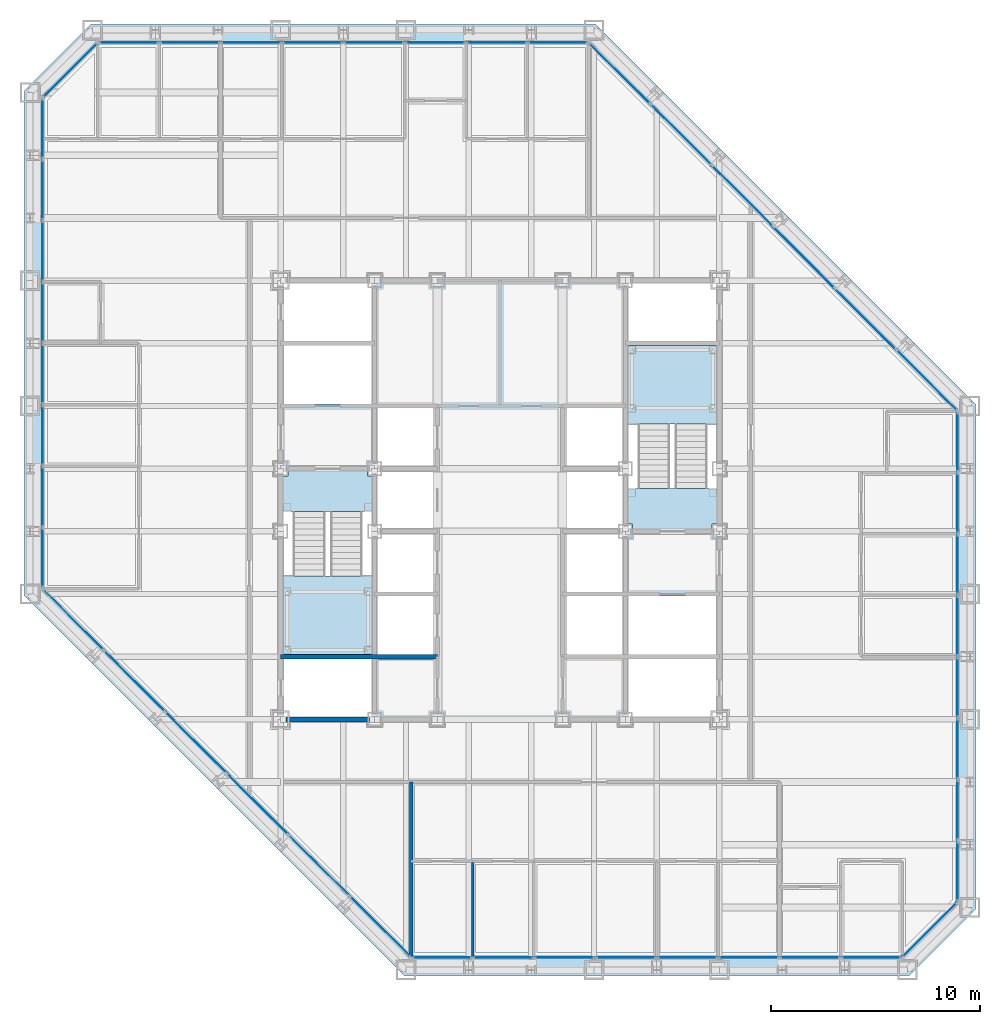
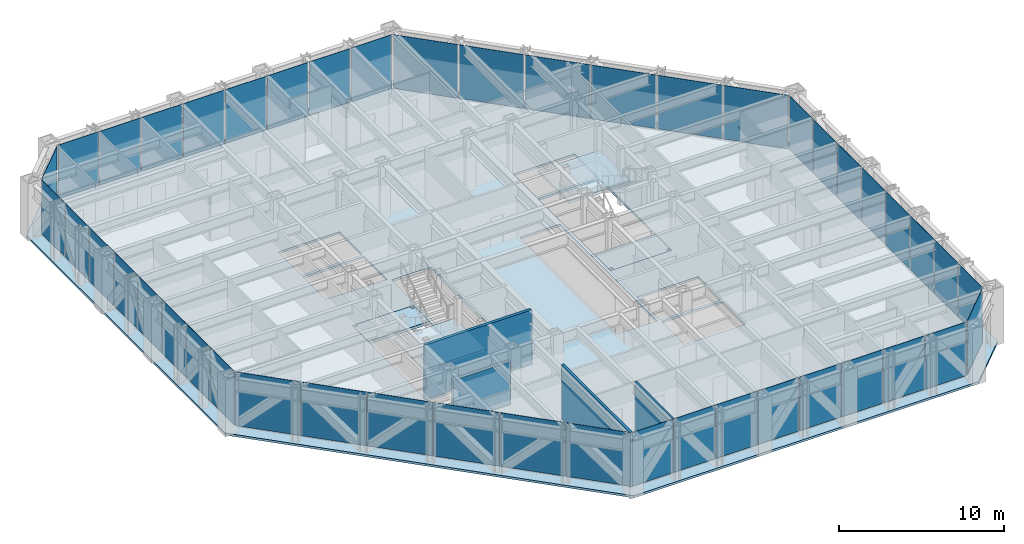
# One storey, part 9 of 16: 46 plates, 5 slabs, 4 walls, 10 elements without a shape of their own.
"""IFC4 building model written with IfcOpenShell, lengths in metres."""

from ifc_helpers import new_model, si_unit, direction, frame, frame_2d, origin, origin_2d, place, context, subcontext, project, spatial, polyline, rectangle, outline, extrude, material, layer, layer_set, type_object, element, aggregate, save


model = new_model("IFC4")

# Units and contexts
model_context = context("Model", 3, precision=1e-05, world=origin(), true_north=direction((0.0, 1.0)))
body_context = subcontext(model_context, "Body", "Model", "MODEL_VIEW")
ifc_project = project(units=[si_unit("LENGTHUNIT", "METRE"), si_unit("AREAUNIT", "SQUARE_METRE"), si_unit("VOLUMEUNIT", "CUBIC_METRE"), si_unit("PLANEANGLEUNIT", "RADIAN"), si_unit("MASSUNIT", "GRAM", prefix="KILO")], contexts=[model_context])

# Site, building, storey
site_placement = place(None, origin())
site = spatial("IfcSite", under=ifc_project, at=site_placement, CompositionType="ELEMENT")
building_placement = place(site_placement, origin())
building = spatial("IfcBuilding", under=site, at=building_placement, Name="Chuquiago Exchange Tower", CompositionType="ELEMENT")
storey_placement = place(building_placement, frame((0.0, 0.0, 115.199951171875)))
storey = spatial("IfcBuildingStorey", under=building, at=storey_placement, Name="L24", CompositionType="ELEMENT", Elevation=115.199951171875)

# Curtain wall, plates
ifc_material_1 = material(Name="Aluminium curtain wall system", Category="aluminium")
ifc_layer_1 = layer(ifc_material_1, 0.22509765625)
ifc_layer_set_1 = layer_set([ifc_layer_1], Name="CW2 office curtain wall")
curtain_wall_type_1 = type_object("IfcCurtainWallType", Name="CW2 office curtain wall", PredefinedType="NOTDEFINED", material=ifc_layer_set_1)
curtain_wall_1_placement = place(storey_placement, origin())
curtain_wall_1 = element("IfcCurtainWall", 1, at=curtain_wall_1_placement, inside=storey, type_object=curtain_wall_type_1, Name="CW2 curtain wall L24", PredefinedType="NOTDEFINED")
ifc_material_2 = material(Name="Glass, insulating unit", Category="glass")
ifc_layer_2 = layer(ifc_material_2, 0.030029296875)
ifc_layer_set_2 = layer_set([ifc_layer_2], Name="CW2-P panel 30")
plate_type_1 = type_object("IfcPlateType", Name="CW2-P panel 30", PredefinedType="CURTAIN_PANEL", material=ifc_layer_set_2)
plate_1_placement = place(storey_placement, frame((25.59326171875, 0.60009765625, 0.06494140625), z_axis=(0.0, 0.0, 1.0), x_axis=(1.0, 0.0, 0.0)))
plate_1 = element("IfcPlate", 2, at=plate_1_placement, type_object=plate_type_1, Name="CW2 panel 3.1", PredefinedType="CURTAIN_PANEL", context=body_context, shape_type="SweptSolid", body=[
    extrude(rectangle(XDim=2.872802734375, YDim=0.030029296875, at=origin_2d()), origin(), (0.0, 0.0, 1.0), 3.97509765625),
])
plate_2_placement = place(storey_placement, frame((34.40673828125, 0.60009765625, 0.06494140625), z_axis=(0.0, 0.0, 1.0), x_axis=(1.0, 0.0, 0.0)))
plate_2 = element("IfcPlate", 3, at=plate_2_placement, type_object=plate_type_1, Name="CW2 panel 6.1", PredefinedType="CURTAIN_PANEL", context=body_context, shape_type="SweptSolid", body=[
    extrude(rectangle(XDim=2.872802734375, YDim=0.030029296875, at=origin_2d()), origin(), (0.0, 0.0, 1.0), 3.97509765625),
])

curtain_wall_2_placement = place(storey_placement, origin())
curtain_wall_2 = element("IfcCurtainWall", 4, at=curtain_wall_2_placement, inside=storey, type_object=curtain_wall_type_1, Name="CW2 curtain wall L24", PredefinedType="NOTDEFINED")
plate_3_placement = place(storey_placement, frame((44.39990234375, 10.59326171875, 0.06494140625), z_axis=(0.0, 0.0, 1.0), x_axis=(0.0, 1.0, 0.0)))
plate_3 = element("IfcPlate", 5, at=plate_3_placement, type_object=plate_type_1, Name="CW2 panel 3.1", PredefinedType="CURTAIN_PANEL", context=body_context, shape_type="SweptSolid", body=[
    extrude(rectangle(XDim=2.872802734375, YDim=0.030029296875, at=origin_2d()), origin(), (0.0, 0.0, 1.0), 3.97509765625),
])
plate_4_placement = place(storey_placement, frame((44.39990234375, 19.40673828125, 0.06494140625), z_axis=(0.0, 0.0, 1.0), x_axis=(0.0, 1.0, 0.0)))
plate_4 = element("IfcPlate", 6, at=plate_4_placement, type_object=plate_type_1, Name="CW2 panel 6.1", PredefinedType="CURTAIN_PANEL", context=body_context, shape_type="SweptSolid", body=[
    extrude(rectangle(XDim=2.872802734375, YDim=0.030029296875, at=origin_2d()), origin(), (0.0, 0.0, 1.0), 3.97509765625),
])

curtain_wall_3_placement = place(storey_placement, origin())
curtain_wall_3 = element("IfcCurtainWall", 7, at=curtain_wall_3_placement, inside=storey, type_object=curtain_wall_type_1, Name="CW2 curtain wall L24", PredefinedType="NOTDEFINED")
plate_5_placement = place(storey_placement, frame((19.40673828125, 44.39990234375, 0.06494140625), z_axis=(0.0, 0.0, 1.0), x_axis=(-1.0, 0.0, 0.0)))
plate_5 = element("IfcPlate", 8, at=plate_5_placement, type_object=plate_type_1, Name="CW2 panel 3.1", PredefinedType="CURTAIN_PANEL", context=body_context, shape_type="SweptSolid", body=[
    extrude(rectangle(XDim=2.872802734375, YDim=0.030029296875, at=origin_2d()), origin(), (0.0, 0.0, 1.0), 3.97509765625),
])
plate_6_placement = place(storey_placement, frame((10.59326171875, 44.39990234375, 0.06494140625), z_axis=(0.0, 0.0, 1.0), x_axis=(-1.0, 0.0, 0.0)))
plate_6 = element("IfcPlate", 9, at=plate_6_placement, type_object=plate_type_1, Name="CW2 panel 6.1", PredefinedType="CURTAIN_PANEL", context=body_context, shape_type="SweptSolid", body=[
    extrude(rectangle(XDim=2.872802734375, YDim=0.030029296875, at=origin_2d()), origin(), (0.0, 0.0, 1.0), 3.97509765625),
])

curtain_wall_4_placement = place(storey_placement, origin())
curtain_wall_4 = element("IfcCurtainWall", 10, at=curtain_wall_4_placement, inside=storey, type_object=curtain_wall_type_1, Name="CW2 curtain wall L24", PredefinedType="NOTDEFINED")
plate_7_placement = place(storey_placement, frame((0.60009765625, 34.40673828125, 0.06494140625), z_axis=(0.0, 0.0, 1.0), x_axis=(0.0, -1.0, 0.0)))
plate_7 = element("IfcPlate", 11, at=plate_7_placement, type_object=plate_type_1, Name="CW2 panel 3.1", PredefinedType="CURTAIN_PANEL", context=body_context, shape_type="SweptSolid", body=[
    extrude(rectangle(XDim=2.872802734375, YDim=0.030029296875, at=origin_2d()), origin(), (0.0, 0.0, 1.0), 3.97509765625),
])
plate_8_placement = place(storey_placement, frame((0.60009765625, 25.59326171875, 0.06494140625), z_axis=(0.0, 0.0, 1.0), x_axis=(0.0, -1.0, 0.0)))
plate_8 = element("IfcPlate", 12, at=plate_8_placement, type_object=plate_type_1, Name="CW2 panel 6.1", PredefinedType="CURTAIN_PANEL", context=body_context, shape_type="SweptSolid", body=[
    extrude(rectangle(XDim=2.872802734375, YDim=0.030029296875, at=origin_2d()), origin(), (0.0, 0.0, 1.0), 3.97509765625),
])

# Plate
ifc_material_3 = material(Name="Insulated spandrel panel, pale anodised aluminium", Category="aluminium")
ifc_layer_3 = layer(ifc_material_3, 0.030029296875)
ifc_layer_set_3 = layer_set([ifc_layer_3], Name="CW2-P spandrel panel 30")
plate_type_2 = type_object("IfcPlateType", Name="CW2-P spandrel panel 30", PredefinedType="CURTAIN_PANEL", material=ifc_layer_set_3)
plate_9_placement = place(storey_placement, frame((19.733642578125, 0.60009765625, 0.06494140625), z_axis=(0.0, 0.0, 1.0), x_axis=(1.0, 0.0, 0.0)))
plate_9 = element("IfcPlate", 13, at=plate_9_placement, type_object=plate_type_2, Name="CW2 panel 1.1", PredefinedType="CURTAIN_PANEL", context=body_context, shape_type="SweptSolid", body=[
    extrude(rectangle(XDim=2.84033203125, YDim=0.030029296875, at=origin_2d()), origin(), (0.0, 0.0, 1.0), 3.97509765625),
])

plate_10_placement = place(storey_placement, frame((22.6552734375, 0.60009765625, 0.06494140625), z_axis=(0.0, 0.0, 1.0), x_axis=(1.0, 0.0, 0.0)))
plate_10 = element("IfcPlate", 14, at=plate_10_placement, type_object=plate_type_2, Name="CW2 panel 2.1", PredefinedType="CURTAIN_PANEL", context=body_context, shape_type="SweptSolid", body=[
    extrude(rectangle(XDim=2.872802734375, YDim=0.030029296875, at=origin_2d()), origin(), (0.0, 0.0, 1.0), 3.97509765625),
])

plate_11_placement = place(storey_placement, frame((28.531005859375, 0.60009765625, 0.06494140625), z_axis=(0.0, 0.0, 1.0), x_axis=(1.0, 0.0, 0.0)))
plate_11 = element("IfcPlate", 15, at=plate_11_placement, type_object=plate_type_2, Name="CW2 panel 4.1", PredefinedType="CURTAIN_PANEL", context=body_context, shape_type="SweptSolid", body=[
    extrude(rectangle(XDim=2.872802734375, YDim=0.030029296875, at=origin_2d()), origin(), (0.0, 0.0, 1.0), 3.97509765625),
])

plate_12_placement = place(storey_placement, frame((31.468994140625, 0.60009765625, 0.06494140625), z_axis=(0.0, 0.0, 1.0), x_axis=(1.0, 0.0, 0.0)))
plate_12 = element("IfcPlate", 16, at=plate_12_placement, type_object=plate_type_2, Name="CW2 panel 5.1", PredefinedType="CURTAIN_PANEL", context=body_context, shape_type="SweptSolid", body=[
    extrude(rectangle(XDim=2.872802734375, YDim=0.030029296875, at=origin_2d()), origin(), (0.0, 0.0, 1.0), 3.97509765625),
])

plate_13_placement = place(storey_placement, frame((37.3447265625, 0.60009765625, 0.06494140625), z_axis=(0.0, 0.0, 1.0), x_axis=(1.0, 0.0, 0.0)))
plate_13 = element("IfcPlate", 17, at=plate_13_placement, type_object=plate_type_2, Name="CW2 panel 7.1", PredefinedType="CURTAIN_PANEL", context=body_context, shape_type="SweptSolid", body=[
    extrude(rectangle(XDim=2.872802734375, YDim=0.030029296875, at=origin_2d()), origin(), (0.0, 0.0, 1.0), 3.97509765625),
])

plate_14_placement = place(storey_placement, frame((40.266357421875, 0.60009765625, 0.06494140625), z_axis=(0.0, 0.0, 1.0), x_axis=(1.0, 0.0, 0.0)))
plate_14 = element("IfcPlate", 18, at=plate_14_placement, type_object=plate_type_2, Name="CW2 panel 8.1", PredefinedType="CURTAIN_PANEL", context=body_context, shape_type="SweptSolid", body=[
    extrude(rectangle(XDim=2.84033203125, YDim=0.030029296875, at=origin_2d()), origin(), (0.0, 0.0, 1.0), 3.97509765625),
])

aggregate(curtain_wall_1, [plate_9, plate_10, plate_1, plate_11, plate_12, plate_2, plate_13, plate_14])

plate_15_placement = place(storey_placement, frame((44.39990234375, 4.733642578125, 0.06494140625), z_axis=(0.0, 0.0, 1.0), x_axis=(0.0, 1.0, 0.0)))
plate_15 = element("IfcPlate", 19, at=plate_15_placement, type_object=plate_type_2, Name="CW2 panel 1.1", PredefinedType="CURTAIN_PANEL", context=body_context, shape_type="SweptSolid", body=[
    extrude(rectangle(XDim=2.84033203125, YDim=0.030029296875, at=origin_2d()), origin(), (0.0, 0.0, 1.0), 3.97509765625),
])

plate_16_placement = place(storey_placement, frame((44.39990234375, 7.6552734375, 0.06494140625), z_axis=(0.0, 0.0, 1.0), x_axis=(0.0, 1.0, 0.0)))
plate_16 = element("IfcPlate", 20, at=plate_16_placement, type_object=plate_type_2, Name="CW2 panel 2.1", PredefinedType="CURTAIN_PANEL", context=body_context, shape_type="SweptSolid", body=[
    extrude(rectangle(XDim=2.872802734375, YDim=0.030029296875, at=origin_2d()), origin(), (0.0, 0.0, 1.0), 3.97509765625),
])

plate_17_placement = place(storey_placement, frame((44.39990234375, 13.531005859375, 0.06494140625), z_axis=(0.0, 0.0, 1.0), x_axis=(0.0, 1.0, 0.0)))
plate_17 = element("IfcPlate", 21, at=plate_17_placement, type_object=plate_type_2, Name="CW2 panel 4.1", PredefinedType="CURTAIN_PANEL", context=body_context, shape_type="SweptSolid", body=[
    extrude(rectangle(XDim=2.872802734375, YDim=0.030029296875, at=origin_2d()), origin(), (0.0, 0.0, 1.0), 3.97509765625),
])

plate_18_placement = place(storey_placement, frame((44.39990234375, 16.468994140625, 0.06494140625), z_axis=(0.0, 0.0, 1.0), x_axis=(0.0, 1.0, 0.0)))
plate_18 = element("IfcPlate", 22, at=plate_18_placement, type_object=plate_type_2, Name="CW2 panel 5.1", PredefinedType="CURTAIN_PANEL", context=body_context, shape_type="SweptSolid", body=[
    extrude(rectangle(XDim=2.872802734375, YDim=0.030029296875, at=origin_2d()), origin(), (0.0, 0.0, 1.0), 3.97509765625),
])

plate_19_placement = place(storey_placement, frame((44.39990234375, 22.3447265625, 0.06494140625), z_axis=(0.0, 0.0, 1.0), x_axis=(0.0, 1.0, 0.0)))
plate_19 = element("IfcPlate", 23, at=plate_19_placement, type_object=plate_type_2, Name="CW2 panel 7.1", PredefinedType="CURTAIN_PANEL", context=body_context, shape_type="SweptSolid", body=[
    extrude(rectangle(XDim=2.872802734375, YDim=0.030029296875, at=origin_2d()), origin(), (0.0, 0.0, 1.0), 3.97509765625),
])

plate_20_placement = place(storey_placement, frame((44.39990234375, 25.266357421875, 0.06494140625), z_axis=(0.0, 0.0, 1.0), x_axis=(0.0, 1.0, 0.0)))
plate_20 = element("IfcPlate", 24, at=plate_20_placement, type_object=plate_type_2, Name="CW2 panel 8.1", PredefinedType="CURTAIN_PANEL", context=body_context, shape_type="SweptSolid", body=[
    extrude(rectangle(XDim=2.84033203125, YDim=0.030029296875, at=origin_2d()), origin(), (0.0, 0.0, 1.0), 3.97509765625),
])

aggregate(curtain_wall_2, [plate_15, plate_16, plate_3, plate_17, plate_18, plate_4, plate_19, plate_20])

plate_21_placement = place(storey_placement, frame((25.266357421875, 44.39990234375, 0.06494140625), z_axis=(0.0, 0.0, 1.0), x_axis=(-1.0, 0.0, 0.0)))
plate_21 = element("IfcPlate", 25, at=plate_21_placement, type_object=plate_type_2, Name="CW2 panel 1.1", PredefinedType="CURTAIN_PANEL", context=body_context, shape_type="SweptSolid", body=[
    extrude(rectangle(XDim=2.84033203125, YDim=0.030029296875, at=origin_2d()), origin(), (0.0, 0.0, 1.0), 3.97509765625),
])

plate_22_placement = place(storey_placement, frame((22.3447265625, 44.39990234375, 0.06494140625), z_axis=(0.0, 0.0, 1.0), x_axis=(-1.0, 0.0, 0.0)))
plate_22 = element("IfcPlate", 26, at=plate_22_placement, type_object=plate_type_2, Name="CW2 panel 2.1", PredefinedType="CURTAIN_PANEL", context=body_context, shape_type="SweptSolid", body=[
    extrude(rectangle(XDim=2.872802734375, YDim=0.030029296875, at=origin_2d()), origin(), (0.0, 0.0, 1.0), 3.97509765625),
])

plate_23_placement = place(storey_placement, frame((16.468994140625, 44.39990234375, 0.06494140625), z_axis=(0.0, 0.0, 1.0), x_axis=(-1.0, 0.0, 0.0)))
plate_23 = element("IfcPlate", 27, at=plate_23_placement, type_object=plate_type_2, Name="CW2 panel 4.1", PredefinedType="CURTAIN_PANEL", context=body_context, shape_type="SweptSolid", body=[
    extrude(rectangle(XDim=2.872802734375, YDim=0.030029296875, at=origin_2d()), origin(), (0.0, 0.0, 1.0), 3.97509765625),
])

plate_24_placement = place(storey_placement, frame((13.531005859375, 44.39990234375, 0.06494140625), z_axis=(0.0, 0.0, 1.0), x_axis=(-1.0, 0.0, 0.0)))
plate_24 = element("IfcPlate", 28, at=plate_24_placement, type_object=plate_type_2, Name="CW2 panel 5.1", PredefinedType="CURTAIN_PANEL", context=body_context, shape_type="SweptSolid", body=[
    extrude(rectangle(XDim=2.872802734375, YDim=0.030029296875, at=origin_2d()), origin(), (0.0, 0.0, 1.0), 3.97509765625),
])

plate_25_placement = place(storey_placement, frame((7.6552734375, 44.39990234375, 0.06494140625), z_axis=(0.0, 0.0, 1.0), x_axis=(-1.0, 0.0, 0.0)))
plate_25 = element("IfcPlate", 29, at=plate_25_placement, type_object=plate_type_2, Name="CW2 panel 7.1", PredefinedType="CURTAIN_PANEL", context=body_context, shape_type="SweptSolid", body=[
    extrude(rectangle(XDim=2.872802734375, YDim=0.030029296875, at=origin_2d()), origin(), (0.0, 0.0, 1.0), 3.97509765625),
])

plate_26_placement = place(storey_placement, frame((4.733642578125, 44.39990234375, 0.06494140625), z_axis=(0.0, 0.0, 1.0), x_axis=(-1.0, 0.0, 0.0)))
plate_26 = element("IfcPlate", 30, at=plate_26_placement, type_object=plate_type_2, Name="CW2 panel 8.1", PredefinedType="CURTAIN_PANEL", context=body_context, shape_type="SweptSolid", body=[
    extrude(rectangle(XDim=2.84033203125, YDim=0.030029296875, at=origin_2d()), origin(), (0.0, 0.0, 1.0), 3.97509765625),
])

aggregate(curtain_wall_3, [plate_21, plate_22, plate_5, plate_23, plate_24, plate_6, plate_25, plate_26])

plate_27_placement = place(storey_placement, frame((0.60009765625, 40.266357421875, 0.06494140625), z_axis=(0.0, 0.0, 1.0), x_axis=(0.0, -1.0, 0.0)))
plate_27 = element("IfcPlate", 31, at=plate_27_placement, type_object=plate_type_2, Name="CW2 panel 1.1", PredefinedType="CURTAIN_PANEL", context=body_context, shape_type="SweptSolid", body=[
    extrude(rectangle(XDim=2.84033203125, YDim=0.030029296875, at=origin_2d()), origin(), (0.0, 0.0, 1.0), 3.97509765625),
])

plate_28_placement = place(storey_placement, frame((0.60009765625, 37.3447265625, 0.06494140625), z_axis=(0.0, 0.0, 1.0), x_axis=(0.0, -1.0, 0.0)))
plate_28 = element("IfcPlate", 32, at=plate_28_placement, type_object=plate_type_2, Name="CW2 panel 2.1", PredefinedType="CURTAIN_PANEL", context=body_context, shape_type="SweptSolid", body=[
    extrude(rectangle(XDim=2.872802734375, YDim=0.030029296875, at=origin_2d()), origin(), (0.0, 0.0, 1.0), 3.97509765625),
])

plate_29_placement = place(storey_placement, frame((0.60009765625, 31.468994140625, 0.06494140625), z_axis=(0.0, 0.0, 1.0), x_axis=(0.0, -1.0, 0.0)))
plate_29 = element("IfcPlate", 33, at=plate_29_placement, type_object=plate_type_2, Name="CW2 panel 4.1", PredefinedType="CURTAIN_PANEL", context=body_context, shape_type="SweptSolid", body=[
    extrude(rectangle(XDim=2.872802734375, YDim=0.030029296875, at=origin_2d()), origin(), (0.0, 0.0, 1.0), 3.97509765625),
])

plate_30_placement = place(storey_placement, frame((0.60009765625, 28.531005859375, 0.06494140625), z_axis=(0.0, 0.0, 1.0), x_axis=(0.0, -1.0, 0.0)))
plate_30 = element("IfcPlate", 34, at=plate_30_placement, type_object=plate_type_2, Name="CW2 panel 5.1", PredefinedType="CURTAIN_PANEL", context=body_context, shape_type="SweptSolid", body=[
    extrude(rectangle(XDim=2.872802734375, YDim=0.030029296875, at=origin_2d()), origin(), (0.0, 0.0, 1.0), 3.97509765625),
])

plate_31_placement = place(storey_placement, frame((0.60009765625, 22.6552734375, 0.06494140625), z_axis=(0.0, 0.0, 1.0), x_axis=(0.0, -1.0, 0.0)))
plate_31 = element("IfcPlate", 35, at=plate_31_placement, type_object=plate_type_2, Name="CW2 panel 7.1", PredefinedType="CURTAIN_PANEL", context=body_context, shape_type="SweptSolid", body=[
    extrude(rectangle(XDim=2.872802734375, YDim=0.030029296875, at=origin_2d()), origin(), (0.0, 0.0, 1.0), 3.97509765625),
])

plate_32_placement = place(storey_placement, frame((0.60009765625, 19.733642578125, 0.06494140625), z_axis=(0.0, 0.0, 1.0), x_axis=(0.0, -1.0, 0.0)))
plate_32 = element("IfcPlate", 36, at=plate_32_placement, type_object=plate_type_2, Name="CW2 panel 8.1", PredefinedType="CURTAIN_PANEL", context=body_context, shape_type="SweptSolid", body=[
    extrude(rectangle(XDim=2.84033203125, YDim=0.030029296875, at=origin_2d()), origin(), (0.0, 0.0, 1.0), 3.97509765625),
])

aggregate(curtain_wall_4, [plate_27, plate_28, plate_7, plate_29, plate_30, plate_8, plate_31, plate_32])

# Curtain wall, plate
ifc_material_4 = material(Name="Aluminium curtain wall system", Category="aluminium")
ifc_layer_4 = layer(ifc_material_4, 0.199951171875)
ifc_layer_set_4 = layer_set([ifc_layer_4], Name="CW3 facet curtain wall")
curtain_wall_type_2 = type_object("IfcCurtainWallType", Name="CW3 facet curtain wall", PredefinedType="NOTDEFINED", material=ifc_layer_set_4)
curtain_wall_5_placement = place(storey_placement, origin())
curtain_wall_5 = element("IfcCurtainWall", 37, at=curtain_wall_5_placement, inside=storey, type_object=curtain_wall_type_2, Name="CW3 curtain wall L24", PredefinedType="NOTDEFINED")
ifc_material_5 = material(Name="Insulated spandrel panel, pale anodised aluminium", Category="aluminium")
ifc_layer_5 = layer(ifc_material_5, 0.030029296875)
ifc_layer_set_5 = layer_set([ifc_layer_5], Name="CW3-P spandrel panel 30")
plate_type_3 = type_object("IfcPlateType", Name="CW3-P spandrel panel 30", PredefinedType="CURTAIN_PANEL", material=ifc_layer_set_5)
plate_33_placement = place(storey_placement, frame((43.07568359375, 1.92431640625, 0.06494140625), z_axis=(0.0, 0.0, 1.0), x_axis=(0.707106781187, 0.707106781187, 0.0)))
plate_33 = element("IfcPlate", 38, at=plate_33_placement, type_object=plate_type_3, Name="CW3 panel 1.1", PredefinedType="CURTAIN_PANEL", context=body_context, shape_type="SweptSolid", body=[
    extrude(rectangle(XDim=3.615478515625, YDim=0.030029296875, at=origin_2d()), origin(), (0.0, 0.0, 1.0), 3.97509765625),
])
aggregate(curtain_wall_5, [plate_33])

# Curtain wall, plates
curtain_wall_6_placement = place(storey_placement, origin())
curtain_wall_6 = element("IfcCurtainWall", 39, at=curtain_wall_6_placement, inside=storey, type_object=curtain_wall_type_2, Name="CW3 curtain wall L24", PredefinedType="NOTDEFINED")
plate_34_placement = place(storey_placement, frame((42.917724609375, 28.233642578125, 0.06494140625), z_axis=(0.0, 0.0, 1.0), x_axis=(-0.707106781187, 0.707106781187, 0.0)))
plate_34 = element("IfcPlate", 40, at=plate_34_placement, type_object=plate_type_3, Name="CW3 panel 1.1", PredefinedType="CURTAIN_PANEL", context=body_context, shape_type="SweptSolid", body=[
    extrude(rectangle(XDim=4.062255859375, YDim=0.030029296875, at=origin_2d()), origin(), (0.0, 0.0, 1.0), 3.97509765625),
])
plate_35_placement = place(storey_placement, frame((39.98779296875, 31.16357421875, 0.06494140625), z_axis=(0.0, 0.0, 1.0), x_axis=(-0.707106781187, 0.707106781187, 0.0)))
plate_35 = element("IfcPlate", 41, at=plate_35_placement, type_object=plate_type_3, Name="CW3 panel 2.1", PredefinedType="CURTAIN_PANEL", context=body_context, shape_type="SweptSolid", body=[
    extrude(rectangle(XDim=4.0947265625, YDim=0.030029296875, at=origin_2d()), origin(), (0.0, 0.0, 1.0), 3.97509765625),
])
plate_36_placement = place(storey_placement, frame((37.04638671875, 34.10498046875, 0.06494140625), z_axis=(0.0, 0.0, 1.0), x_axis=(-0.707106781187, 0.707106781187, 0.0)))
plate_36 = element("IfcPlate", 42, at=plate_36_placement, type_object=plate_type_3, Name="CW3 panel 3.1", PredefinedType="CURTAIN_PANEL", context=body_context, shape_type="SweptSolid", body=[
    extrude(rectangle(XDim=4.0947265625, YDim=0.030029296875, at=origin_2d()), origin(), (0.0, 0.0, 1.0), 3.97509765625),
])
plate_37_placement = place(storey_placement, frame((34.10498046875, 37.04638671875, 0.06494140625), z_axis=(0.0, 0.0, 1.0), x_axis=(-0.707106781187, 0.707106781187, 0.0)))
plate_37 = element("IfcPlate", 43, at=plate_37_placement, type_object=plate_type_3, Name="CW3 panel 4.1", PredefinedType="CURTAIN_PANEL", context=body_context, shape_type="SweptSolid", body=[
    extrude(rectangle(XDim=4.0947265625, YDim=0.030029296875, at=origin_2d()), origin(), (0.0, 0.0, 1.0), 3.97509765625),
])
plate_38_placement = place(storey_placement, frame((31.16357421875, 39.98779296875, 0.06494140625), z_axis=(0.0, 0.0, 1.0), x_axis=(-0.707106781187, 0.707106781187, 0.0)))
plate_38 = element("IfcPlate", 44, at=plate_38_placement, type_object=plate_type_3, Name="CW3 panel 5.1", PredefinedType="CURTAIN_PANEL", context=body_context, shape_type="SweptSolid", body=[
    extrude(rectangle(XDim=4.0947265625, YDim=0.030029296875, at=origin_2d()), origin(), (0.0, 0.0, 1.0), 3.97509765625),
])
plate_39_placement = place(storey_placement, frame((28.233642578125, 42.917724609375, 0.06494140625), z_axis=(0.0, 0.0, 1.0), x_axis=(-0.707106781187, 0.707106781187, 0.0)))
plate_39 = element("IfcPlate", 45, at=plate_39_placement, type_object=plate_type_3, Name="CW3 panel 6.1", PredefinedType="CURTAIN_PANEL", context=body_context, shape_type="SweptSolid", body=[
    extrude(rectangle(XDim=4.062255859375, YDim=0.030029296875, at=origin_2d()), origin(), (0.0, 0.0, 1.0), 3.97509765625),
])
aggregate(curtain_wall_6, [plate_34, plate_35, plate_36, plate_37, plate_38, plate_39])

# Curtain wall, plate
curtain_wall_7_placement = place(storey_placement, origin())
curtain_wall_7 = element("IfcCurtainWall", 46, at=curtain_wall_7_placement, inside=storey, type_object=curtain_wall_type_2, Name="CW3 curtain wall L24", PredefinedType="NOTDEFINED")
plate_40_placement = place(storey_placement, frame((1.92431640625, 43.07568359375, 0.06494140625), z_axis=(0.0, 0.0, 1.0), x_axis=(-0.707106781187, -0.707106781187, 0.0)))
plate_40 = element("IfcPlate", 47, at=plate_40_placement, type_object=plate_type_3, Name="CW3 panel 1.1", PredefinedType="CURTAIN_PANEL", context=body_context, shape_type="SweptSolid", body=[
    extrude(rectangle(XDim=3.615478515625, YDim=0.030029296875, at=origin_2d()), origin(), (0.0, 0.0, 1.0), 3.97509765625),
])
aggregate(curtain_wall_7, [plate_40])

# Curtain wall, plates
curtain_wall_8_placement = place(storey_placement, origin())
curtain_wall_8 = element("IfcCurtainWall", 48, at=curtain_wall_8_placement, inside=storey, type_object=curtain_wall_type_2, Name="CW3 curtain wall L24", PredefinedType="NOTDEFINED")
plate_41_placement = place(storey_placement, frame((2.082275390625, 16.766357421875, 0.06494140625), z_axis=(0.0, 0.0, 1.0), x_axis=(0.707106781187, -0.707106781187, 0.0)))
plate_41 = element("IfcPlate", 49, at=plate_41_placement, type_object=plate_type_3, Name="CW3 panel 1.1", PredefinedType="CURTAIN_PANEL", context=body_context, shape_type="SweptSolid", body=[
    extrude(rectangle(XDim=4.062255859375, YDim=0.030029296875, at=origin_2d()), origin(), (0.0, 0.0, 1.0), 3.97509765625),
])
plate_42_placement = place(storey_placement, frame((5.01220703125, 13.83642578125, 0.06494140625), z_axis=(0.0, 0.0, 1.0), x_axis=(0.707106781187, -0.707106781187, 0.0)))
plate_42 = element("IfcPlate", 50, at=plate_42_placement, type_object=plate_type_3, Name="CW3 panel 2.1", PredefinedType="CURTAIN_PANEL", context=body_context, shape_type="SweptSolid", body=[
    extrude(rectangle(XDim=4.0947265625, YDim=0.030029296875, at=origin_2d()), origin(), (0.0, 0.0, 1.0), 3.97509765625),
])
plate_43_placement = place(storey_placement, frame((7.95361328125, 10.89501953125, 0.06494140625), z_axis=(0.0, 0.0, 1.0), x_axis=(0.707106781187, -0.707106781187, 0.0)))
plate_43 = element("IfcPlate", 51, at=plate_43_placement, type_object=plate_type_3, Name="CW3 panel 3.1", PredefinedType="CURTAIN_PANEL", context=body_context, shape_type="SweptSolid", body=[
    extrude(rectangle(XDim=4.0947265625, YDim=0.030029296875, at=origin_2d()), origin(), (0.0, 0.0, 1.0), 3.97509765625),
])
plate_44_placement = place(storey_placement, frame((10.89501953125, 7.95361328125, 0.06494140625), z_axis=(0.0, 0.0, 1.0), x_axis=(0.707106781187, -0.707106781187, 0.0)))
plate_44 = element("IfcPlate", 52, at=plate_44_placement, type_object=plate_type_3, Name="CW3 panel 4.1", PredefinedType="CURTAIN_PANEL", context=body_context, shape_type="SweptSolid", body=[
    extrude(rectangle(XDim=4.0947265625, YDim=0.030029296875, at=origin_2d()), origin(), (0.0, 0.0, 1.0), 3.97509765625),
])
plate_45_placement = place(storey_placement, frame((13.83642578125, 5.01220703125, 0.06494140625), z_axis=(0.0, 0.0, 1.0), x_axis=(0.707106781187, -0.707106781187, 0.0)))
plate_45 = element("IfcPlate", 53, at=plate_45_placement, type_object=plate_type_3, Name="CW3 panel 5.1", PredefinedType="CURTAIN_PANEL", context=body_context, shape_type="SweptSolid", body=[
    extrude(rectangle(XDim=4.0947265625, YDim=0.030029296875, at=origin_2d()), origin(), (0.0, 0.0, 1.0), 3.97509765625),
])
plate_46_placement = place(storey_placement, frame((16.766357421875, 2.082275390625, 0.06494140625), z_axis=(0.0, 0.0, 1.0), x_axis=(0.707106781187, -0.707106781187, 0.0)))
plate_46 = element("IfcPlate", 54, at=plate_46_placement, type_object=plate_type_3, Name="CW3 panel 6.1", PredefinedType="CURTAIN_PANEL", context=body_context, shape_type="SweptSolid", body=[
    extrude(rectangle(XDim=4.062255859375, YDim=0.030029296875, at=origin_2d()), origin(), (0.0, 0.0, 1.0), 3.97509765625),
])
aggregate(curtain_wall_8, [plate_41, plate_42, plate_43, plate_44, plate_45, plate_46])

# Slab
ifc_material_6 = material(Name="Concrete C30/37", Category="concrete")
ifc_layer_6 = layer(ifc_material_6, 0.159912109375)
ifc_layer_set_6 = layer_set([ifc_layer_6], Name="FS1 composite floor 160")
slab_type_1 = type_object("IfcSlabType", Name="FS1 composite floor 160", PredefinedType="FLOOR", material=ifc_layer_set_6)
slab_1_placement = place(storey_placement, frame((0.0, 0.0, -0.159912109375)))
element("IfcSlab", 55, at=slab_1_placement, inside=storey, type_object=slab_type_1, Name="L24 floor slab", PredefinedType="FLOOR", context=body_context, shape_type="SweptSolid", body=[
    extrude(outline(polyline([(17.896484375, -0.25), (-0.25, 17.896484375), (-0.25, 42.103515625), (2.896484375, 45.25), (27.103515625, 45.25), (45.25, 27.103515625), (45.25, 2.896484375), (42.103515625, -0.25), (17.896484375, -0.25)]), holes=[polyline([(16.39990234375, 15.10009765625), (12.10009765625, 15.10009765625), (12.10009765625, 23.89990234375), (16.39990234375, 23.89990234375), (16.39990234375, 15.10009765625)]), polyline([(32.89990234375, 21.10009765625), (28.60009765625, 21.10009765625), (28.60009765625, 29.89990234375), (32.89990234375, 29.89990234375), (32.89990234375, 21.10009765625)]), polyline([(16.39990234375, 12.10009765625), (12.10009765625, 12.10009765625), (12.10009765625, 14.89990234375), (16.39990234375, 14.89990234375), (16.39990234375, 12.10009765625)]), polyline([(16.39990234375, 30.10009765625), (12.10009765625, 30.10009765625), (12.10009765625, 32.89990234375), (16.39990234375, 32.89990234375), (16.39990234375, 30.10009765625)]), polyline([(32.89990234375, 12.10009765625), (28.60009765625, 12.10009765625), (28.60009765625, 14.89990234375), (32.89990234375, 14.89990234375), (32.89990234375, 12.10009765625)]), polyline([(32.89990234375, 30.10009765625), (28.60009765625, 30.10009765625), (28.60009765625, 32.89990234375), (32.89990234375, 32.89990234375), (32.89990234375, 30.10009765625)]), polyline([(16.39990234375, 27.10009765625), (12.10009765625, 27.10009765625), (12.10009765625, 29.89990234375), (16.39990234375, 29.89990234375), (16.39990234375, 27.10009765625)]), polyline([(32.89990234375, 15.10009765625), (28.60009765625, 15.10009765625), (28.60009765625, 17.89990234375), (32.89990234375, 17.89990234375), (32.89990234375, 15.10009765625)]), polyline([(19.39990234375, 15.10009765625), (16.60009765625, 15.10009765625), (16.60009765625, 26.89990234375), (19.39990234375, 26.89990234375), (19.39990234375, 15.10009765625)]), polyline([(28.39990234375, 15.10009765625), (25.60009765625, 15.10009765625), (25.60009765625, 26.89990234375), (28.39990234375, 26.89990234375), (28.39990234375, 15.10009765625)])]), origin(), (0.0, 0.0, 1.0), 0.159912109375),
])

# Stair, slabs
ifc_material_7 = material(Name="Concrete C30/37, precast", Category="concrete")
stair_type_1 = type_object("IfcStairType", Name="ST1 half-turn stair 4200", PredefinedType="HALF_TURN_STAIR", material=ifc_material_7)
stair_1_placement = place(storey_placement, origin())
stair_1 = element("IfcStair", 56, at=stair_1_placement, inside=storey, type_object=stair_type_1, Name="Stair ST1 L24", PredefinedType="HALF_TURN_STAIR")
ifc_material_8 = material(Name="Concrete C30/37, precast", Category="concrete")
ifc_layer_7 = layer(ifc_material_8, 0.199951171875)
ifc_layer_set_7 = layer_set([ifc_layer_7], Name="ST-L landing 200")
slab_type_2 = type_object("IfcSlabType", Name="ST-L landing 200", PredefinedType="LANDING", material=ifc_layer_set_7)
slab_2_placement = place(storey_placement, frame((0.0, 0.0, -0.199951171875)))
slab_2 = element("IfcSlab", 57, at=slab_2_placement, type_object=slab_type_2, Name="ST1 landing 1", PredefinedType="LANDING", context=body_context, shape_type="SweptSolid", body=[
    extrude(outline(polyline([(12.35009765625, 23.89990234375), (16.14990234375, 23.89990234375), (16.14990234375, 23.64990234375), (16.39990234375, 23.64990234375), (16.39990234375, 21.949951171875), (12.10009765625, 21.949951171875), (12.10009765625, 23.64990234375), (12.35009765625, 23.64990234375), (12.35009765625, 23.89990234375)])), origin(), (0.0, 0.0, 1.0), 0.199951171875),
])
slab_3_placement = place(storey_placement, frame((0.0, 0.0, 1.900146484375)))
slab_3 = element("IfcSlab", 58, at=slab_3_placement, type_object=slab_type_2, Name="ST1 landing 2", PredefinedType="LANDING", context=body_context, shape_type="SweptSolid", body=[
    extrude(outline(polyline([(12.10009765625, 18.8701171875), (16.39990234375, 18.8701171875), (16.39990234375, 15.10009765625), (12.10009765625, 15.10009765625), (12.10009765625, 18.8701171875)])), origin(), (0.0, 0.0, 1.0), 0.199951171875),
])
aggregate(stair_1, [slab_2, slab_3])

ifc_material_9 = material(Name="Concrete C30/37, precast", Category="concrete")
stair_type_2 = type_object("IfcStairType", Name="ST2 half-turn stair 4200", PredefinedType="HALF_TURN_STAIR", material=ifc_material_9)
stair_2_placement = place(storey_placement, origin())
stair_2 = element("IfcStair", 59, at=stair_2_placement, inside=storey, type_object=stair_type_2, Name="Stair ST2 L24", PredefinedType="HALF_TURN_STAIR")
slab_4_placement = place(storey_placement, frame((0.0, 0.0, -0.199951171875)))
slab_4 = element("IfcSlab", 60, at=slab_4_placement, type_object=slab_type_2, Name="ST2 landing 1", PredefinedType="LANDING", context=body_context, shape_type="SweptSolid", body=[
    extrude(outline(polyline([(32.64990234375, 21.35009765625), (32.64990234375, 21.10009765625), (28.85009765625, 21.10009765625), (28.85009765625, 21.35009765625), (28.60009765625, 21.35009765625), (28.60009765625, 23.050048828125), (32.89990234375, 23.050048828125), (32.89990234375, 21.35009765625), (32.64990234375, 21.35009765625)])), origin(), (0.0, 0.0, 1.0), 0.199951171875),
])
slab_5_placement = place(storey_placement, frame((0.0, 0.0, 1.900146484375)))
slab_5 = element("IfcSlab", 61, at=slab_5_placement, type_object=slab_type_2, Name="ST2 landing 2", PredefinedType="LANDING", context=body_context, shape_type="SweptSolid", body=[
    extrude(outline(polyline([(28.60009765625, 29.89990234375), (32.89990234375, 29.89990234375), (32.89990234375, 26.1298828125), (28.60009765625, 26.1298828125), (28.60009765625, 29.89990234375)])), origin(), (0.0, 0.0, 1.0), 0.199951171875),
])
aggregate(stair_2, [slab_4, slab_5])

# Walls
ifc_material_10 = material(Name="Concrete masonry, fully grouted", Category="masonry")
ifc_layer_8 = layer(ifc_material_10, 0.25)
ifc_layer_set_8 = layer_set([ifc_layer_8], Name="W1 core wall 250")
wall_type_1 = type_object("IfcWallType", Name="W1 core wall 250", PredefinedType="SOLIDWALL", material=ifc_layer_set_8)
wall_1_placement = place(storey_placement, frame((12.25, 12.0, 0.0), z_axis=(0.0, 0.0, 1.0), x_axis=(1.0, 0.0, 0.0)))
element("IfcWall", 62, at=wall_1_placement, inside=storey, type_object=wall_type_1, Name="CW-L24-01-0", PredefinedType="SOLIDWALL", context=body_context, shape_type="SweptSolid", body=[
    extrude(rectangle(XDim=4.0, YDim=0.25, at=frame_2d((2.0, 0.0))), origin(), (0.0, 0.0, 1.0), 3.181640625),
])
ifc_material_11 = material(Name="Gypsum board on twin steel studs, acoustic insulation", Category="steel")
ifc_layer_9 = layer(ifc_material_11, 0.175048828125)
ifc_layer_set_9 = layer_set([ifc_layer_9], Name="W12 tenant demising wall 175")
wall_type_2 = type_object("IfcWallType", Name="W12 tenant demising wall 175", PredefinedType="PARTITIONING", material=ifc_layer_set_9)
wall_2_placement = place(storey_placement, frame((18.24853515625, 0.666015625, 0.0), z_axis=(0.0, 0.0, 1.0), x_axis=(0.0, 1.0, 0.0)))
element("IfcWall", 63, at=wall_2_placement, inside=storey, type_object=wall_type_2, Name="PW-L24-DS01825", PredefinedType="PARTITIONING", context=body_context, shape_type="SweptSolid", body=[
    extrude(rectangle(XDim=8.333984375, YDim=0.175048828125, at=frame_2d((4.1669921875, 0.0))), origin(), (0.0, 0.0, 1.0), 4.0400390625),
])
ifc_material_12 = material(Name="Concrete masonry, fully grouted", Category="masonry")
ifc_layer_10 = layer(ifc_material_12, 0.199951171875)
ifc_layer_set_10 = layer_set([ifc_layer_10], Name="W2 shaft wall 200")
wall_type_3 = type_object("IfcWallType", Name="W2 shaft wall 200", PredefinedType="SOLIDWALL", material=ifc_layer_set_10)
wall_3_placement = place(storey_placement, frame((12.0, 15.0, 0.0), z_axis=(0.0, 0.0, 1.0), x_axis=(1.0, 0.0, 0.0)))
element("IfcWall", 64, at=wall_3_placement, inside=storey, type_object=wall_type_3, Name="CW-L24-03-0", PredefinedType="SOLIDWALL", context=body_context, shape_type="SweptSolid", body=[
    extrude(rectangle(XDim=7.5, YDim=0.199951171875, at=frame_2d((3.75, 0.0))), origin(), (0.0, 0.0, 1.0), 4.0400390625),
])
ifc_material_13 = material(Name="Gypsum board on steel studs", Category="steel")
ifc_layer_11 = layer(ifc_material_13, 0.1201171875)
ifc_layer_set_11 = layer_set([ifc_layer_11], Name="W4 partition 120")
wall_type_4 = type_object("IfcWallType", Name="W4 partition 120", PredefinedType="PARTITIONING", material=ifc_layer_set_11)
wall_4_placement = place(storey_placement, frame((21.186279296875, 0.652587890625, 0.0), z_axis=(0.0, 0.0, 1.0), x_axis=(0.0, 1.0, 0.0)))
element("IfcWall", 65, at=wall_4_placement, inside=storey, type_object=wall_type_4, Name="PW-L24-S02119", PredefinedType="PARTITIONING", context=body_context, shape_type="SweptSolid", body=[
    extrude(rectangle(XDim=4.54736328125, YDim=0.1201171875, at=frame_2d((2.273681640625, 0.0))), origin(), (0.0, 0.0, 1.0), 4.0400390625),
])

save(model, "model.ifc")
